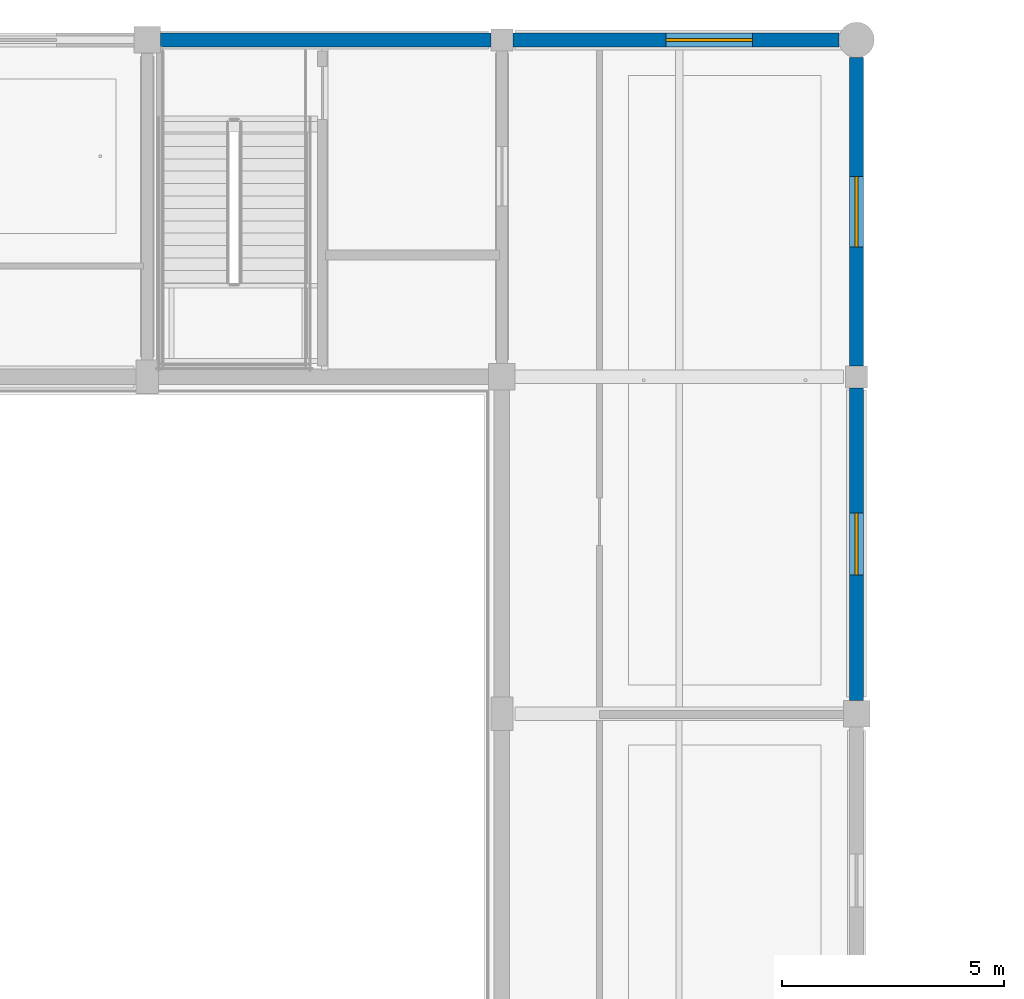
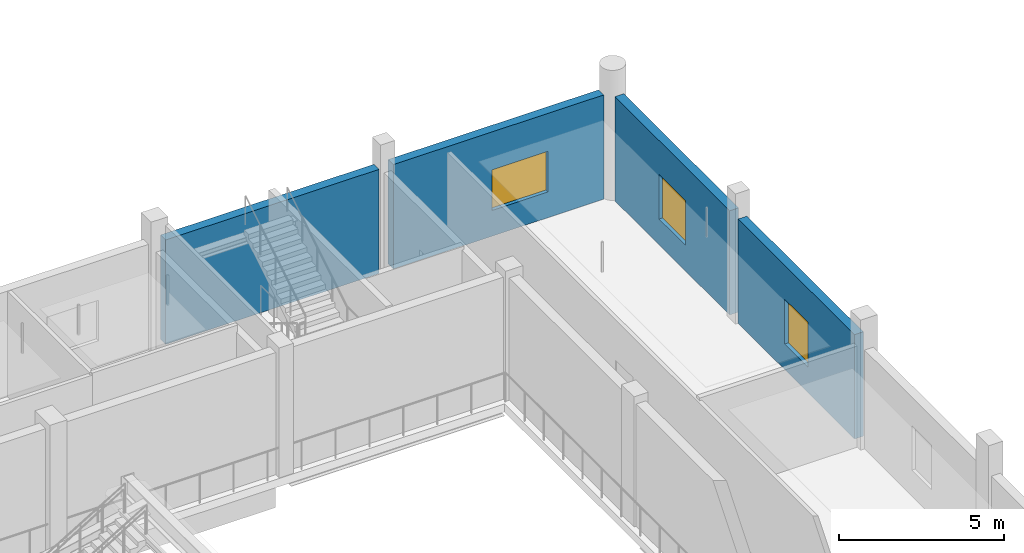
# One storey, part 91 of 147: 4 walls, 3 windows, 3 openings.
"""IFC4 building model written with IfcOpenShell, lengths in metres."""

from ifc_helpers import new_model, si_unit, direction, frame, frame_2d, origin, place, context, subcontext, project, spatial, rectangle, extrude, material, layer, layer_set, type_object, element, fill, save


model = new_model("IFC4")

# Units and contexts
model_context = context("Model", 3, precision=1e-05, world=origin(), true_north=direction((0.0, 1.0)))
body_context = subcontext(model_context, "Body", "Model", "MODEL_VIEW")
ifc_project = project(units=[si_unit("LENGTHUNIT", "METRE"), si_unit("AREAUNIT", "SQUARE_METRE"), si_unit("VOLUMEUNIT", "CUBIC_METRE"), si_unit("PLANEANGLEUNIT", "RADIAN"), si_unit("MASSUNIT", "GRAM", prefix="KILO")], contexts=[model_context])

# Site, building, storey
site_placement = place(None, origin())
site = spatial("IfcSite", under=ifc_project, at=site_placement, CompositionType="ELEMENT")
building_placement = place(site_placement, origin())
building = spatial("IfcBuilding", under=site, at=building_placement, Name="Khelvaren Railside Concert Hall", CompositionType="ELEMENT")
storey_placement = place(building_placement, frame((0.0, 0.0, 5.39990234375)))
storey = spatial("IfcBuildingStorey", under=building, at=storey_placement, Name="L01", CompositionType="ELEMENT", Elevation=5.39990234375)

# Wall
ifc_material_1 = material(Name="Board-marked architectural concrete C40/50", Category="concrete")
ifc_layer = layer(ifc_material_1, 0.31005859375)
ifc_layer_set = layer_set([ifc_layer], Name="Board-marked architectural concrete C40/50")
wall_type = type_object("IfcWallType", Name="EW33", PredefinedType="SOLIDWALL", material=ifc_layer_set)
wall_1_placement = place(storey_placement, frame((32.300048828125, 114.0, 0.0), z_axis=(0.0, 0.0, 1.0), x_axis=(1.0, 0.0, 0.0)))
element("IfcWall", 1, at=wall_1_placement, inside=storey, type_object=wall_type, Name="V4 L01 Exterior Concrete Wall N-32", PredefinedType="SOLIDWALL", context=body_context, shape_type="SweptSolid", body=[
    extrude(rectangle(XDim=7.449951171875, YDim=0.31005859375, at=frame_2d((3.72509765625, 0.0))), origin(), (0.0, 0.0, 1.0), 3.85009765625),
])

# Wall, opening, window
wall_2_placement = place(storey_placement, frame((40.25, 114.0, 0.0), z_axis=(0.0, 0.0, 1.0), x_axis=(1.0, 0.0, 0.0)))
wall_2 = element("IfcWall", 2, at=wall_2_placement, inside=storey, type_object=wall_type, Name="V4 L01 Exterior Concrete Wall N-40", PredefinedType="SOLIDWALL", context=body_context, shape_type="SweptSolid", body=[
    extrude(rectangle(XDim=7.35009765625, YDim=0.31005859375, at=frame_2d((3.675048828125, 0.0))), origin(), (0.0, 0.0, 1.0), 3.85009765625),
])
opening_1_placement = place(wall_2_placement, frame((3.449951171875, 0.0, 0.949951171875)))
opening_1 = element("IfcOpeningElement", 3, at=opening_1_placement, cuts=wall_2, Name="Opening WN74", PredefinedType="OPENING", context=body_context, shape_type="SweptSolid", body=[
    extrude(rectangle(XDim=1.949951171875, YDim=1.5, at=frame_2d((0.97509765625, 0.75))), frame((0.0, 0.1650390625, 0.0), z_axis=(0.0, -1.0, 0.0), x_axis=(1.0, 0.0, 0.0)), (0.0, 0.0, 1.0), 0.330078125),
])
ifc_material_2 = material(Name="Triple-glazed acoustic aluminium window", Category="aluminium")
window_type_1 = type_object("IfcWindowType", Name="WN74", PartitioningType="DOUBLE_PANEL_VERTICAL", PredefinedType="WINDOW", material=ifc_material_2)
window_1_placement = place(opening_1_placement, origin())
window_1 = element("IfcWindow", 4, at=window_1_placement, inside=storey, type_object=window_type_1, Name="Acoustic Facade Window EW-V4-L01-N-40", OverallHeight=1.5, OverallWidth=1.949951171875, PartitioningType="DOUBLE_PANEL_VERTICAL", PredefinedType="WINDOW", context=body_context, shape_type="SweptSolid", body=[
    extrude(rectangle(XDim=1.949951171875, YDim=1.5, at=frame_2d((0.97509765625, 0.75))), frame((0.0, 0.030029296875, 0.0), z_axis=(0.0, -1.0, 0.0), x_axis=(1.0, 0.0, 0.0)), (0.0, 0.0, 1.0), 0.06005859375),
])
fill(opening_1, window_1)

wall_3_placement = place(storey_placement, frame((48.0, 106.14990234375, 0.0), z_axis=(0.0, 0.0, 1.0), x_axis=(0.0, -1.0, 0.0)))
wall_3 = element("IfcWall", 5, at=wall_3_placement, inside=storey, type_object=wall_type, Name="V4 L01 Exterior Concrete Wall E-99", PredefinedType="SOLIDWALL", context=body_context, shape_type="SweptSolid", body=[
    extrude(rectangle(XDim=7.0498046875, YDim=0.31005859375, at=frame_2d((3.52490234375, 0.0))), origin(), (0.0, 0.0, 1.0), 3.85009765625),
])
opening_2_placement = place(wall_3_placement, frame((2.824951171875, 0.0, 0.949951171875)))
opening_2 = element("IfcOpeningElement", 6, at=opening_2_placement, cuts=wall_3, Name="Opening WN11", PredefinedType="OPENING", context=body_context, shape_type="SweptSolid", body=[
    extrude(rectangle(XDim=1.39990234375, YDim=1.64990234375, at=frame_2d((0.699951171875, 0.824951171875))), frame((0.0, 0.1650390625, 0.0), z_axis=(0.0, -1.0, 0.0), x_axis=(1.0, 0.0, 0.0)), (0.0, 0.0, 1.0), 0.330078125),
])
window_type_2 = type_object("IfcWindowType", Name="WN11", PartitioningType="SINGLE_PANEL", PredefinedType="WINDOW", material=ifc_material_2)
window_2_placement = place(opening_2_placement, origin())
window_2 = element("IfcWindow", 7, at=window_2_placement, inside=storey, type_object=window_type_2, Name="Acoustic Facade Window EW-V4-L01-E-99", OverallHeight=1.64990234375, OverallWidth=1.39990234375, PartitioningType="SINGLE_PANEL", PredefinedType="WINDOW", context=body_context, shape_type="SweptSolid", body=[
    extrude(rectangle(XDim=1.39990234375, YDim=1.64990234375, at=frame_2d((0.699951171875, 0.824951171875))), frame((0.0, 0.030029296875, 0.0), z_axis=(0.0, -1.0, 0.0), x_axis=(1.0, 0.0, 0.0)), (0.0, 0.0, 1.0), 0.06005859375),
])
fill(opening_2, window_2)

wall_4_placement = place(storey_placement, frame((48.0, 113.60009765625, 0.0), z_axis=(0.0, 0.0, 1.0), x_axis=(0.0, -1.0, 0.0)))
wall_4 = element("IfcWall", 8, at=wall_4_placement, inside=storey, type_object=wall_type, Name="V4 L01 Exterior Concrete Wall E-106", PredefinedType="SOLIDWALL", context=body_context, shape_type="SweptSolid", body=[
    extrude(rectangle(XDim=6.9501953125, YDim=0.31005859375, at=frame_2d((3.47509765625, 0.0))), origin(), (0.0, 0.0, 1.0), 3.85009765625),
])
opening_3_placement = place(wall_4_placement, frame((2.675048828125, 0.0, 0.949951171875)))
opening_3 = element("IfcOpeningElement", 9, at=opening_3_placement, cuts=wall_4, Name="Opening WN73", PredefinedType="OPENING", context=body_context, shape_type="SweptSolid", body=[
    extrude(rectangle(XDim=1.60009765625, YDim=1.64990234375, at=frame_2d((0.800048828125, 0.824951171875))), frame((0.0, 0.1650390625, 0.0), z_axis=(0.0, -1.0, 0.0), x_axis=(1.0, 0.0, 0.0)), (0.0, 0.0, 1.0), 0.330078125),
])
window_type_3 = type_object("IfcWindowType", Name="WN73", PartitioningType="SINGLE_PANEL", PredefinedType="WINDOW", material=ifc_material_2)
window_3_placement = place(opening_3_placement, origin())
window_3 = element("IfcWindow", 10, at=window_3_placement, inside=storey, type_object=window_type_3, Name="Acoustic Facade Window EW-V4-L01-E-106", OverallHeight=1.64990234375, OverallWidth=1.60009765625, PartitioningType="SINGLE_PANEL", PredefinedType="WINDOW", context=body_context, shape_type="SweptSolid", body=[
    extrude(rectangle(XDim=1.60009765625, YDim=1.64990234375, at=frame_2d((0.800048828125, 0.824951171875))), frame((0.0, 0.030029296875, 0.0), z_axis=(0.0, -1.0, 0.0), x_axis=(1.0, 0.0, 0.0)), (0.0, 0.0, 1.0), 0.06005859375),
])
fill(opening_3, window_3)

save(model, "model.ifc")
